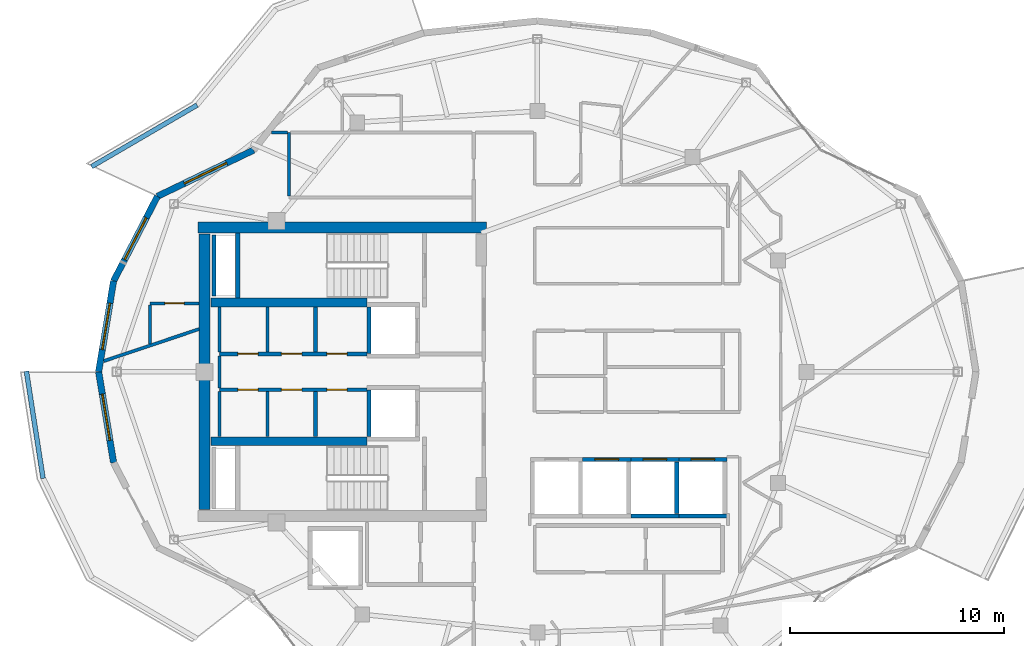
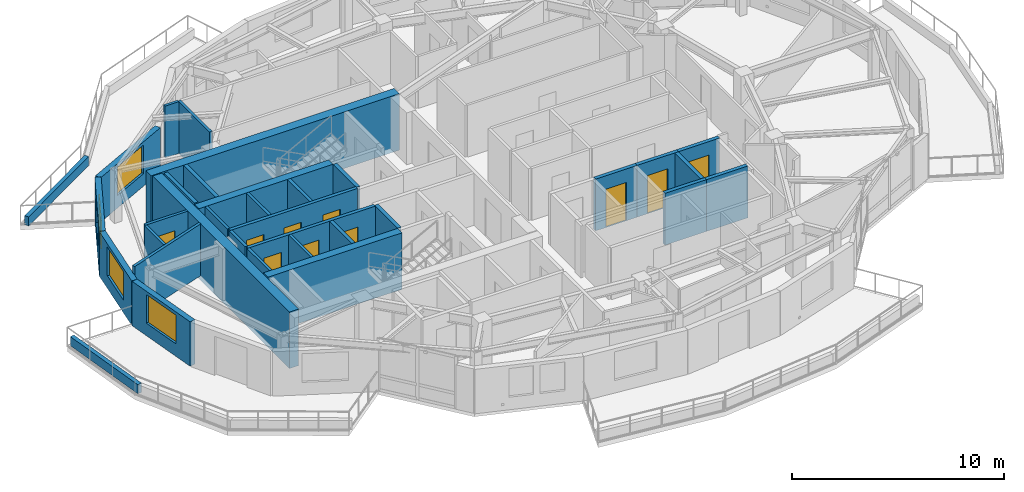
# One storey, part 8 of 15: 34 walls, 10 doors, 4 windows, 14 openings.
"""IFC4 building model written with IfcOpenShell, lengths in metres."""

from ifc_helpers import new_model, si_unit, direction, frame, frame_2d, origin, place, context, subcontext, project, spatial, rectangle, extrude, material, layer, layer_set, type_object, element, fill, save


model = new_model("IFC4")

# Units and contexts
model_context = context("Model", 3, precision=1e-05, world=origin(), true_north=direction((0.0, 1.0)))
body_context = subcontext(model_context, "Body", "Model", "MODEL_VIEW")
ifc_project = project(units=[si_unit("LENGTHUNIT", "METRE"), si_unit("AREAUNIT", "SQUARE_METRE"), si_unit("VOLUMEUNIT", "CUBIC_METRE"), si_unit("PLANEANGLEUNIT", "RADIAN"), si_unit("MASSUNIT", "GRAM", prefix="KILO")], contexts=[model_context])

# Site, building, storey
site_placement = place(None, origin())
site = spatial("IfcSite", under=ifc_project, at=site_placement, CompositionType="ELEMENT")
building_placement = place(site_placement, origin())
building = spatial("IfcBuilding", under=site, at=building_placement, Name="Kolvaren Gate Tower and Convention Centre", CompositionType="ELEMENT")
storey_placement = place(building_placement, frame((0.0, 0.0, 272.300048828125)))
storey = spatial("IfcBuildingStorey", under=building, at=storey_placement, Name="L74", CompositionType="ELEMENT", Elevation=272.300048828125)

# Wall, openings, doors
ifc_material_1 = material(Name="Autoclaved Aerated Masonry Blockwork Class 4 (4.0 MPa)", Category="masonry")
ifc_layer_1 = layer(ifc_material_1, 0.179931640625)
ifc_layer_set_1 = layer_set([ifc_layer_1], Name="Autoclaved Aerated Masonry Blockwork Class 4 (4.0 MPa)")
wall_type_1 = type_object("IfcWallType", Name="ARCH-WL-COMP-180", PredefinedType="SOLIDWALL", material=ifc_layer_set_1)
wall_1_placement = place(storey_placement, frame((15.25, 27.840087890625, 0.0), z_axis=(0.0, 0.0, 1.0), x_axis=(1.0, 0.0, 0.0)))
wall_1 = element("IfcWall", 1, at=wall_1_placement, inside=storey, type_object=wall_type_1, Name="Interior Partition WL-L74-INT-004", PredefinedType="SOLIDWALL", context=body_context, shape_type="SweptSolid", body=[
    extrude(rectangle(XDim=6.89990234375, YDim=0.179931640625, at=frame_2d((3.449951171875, 0.0))), origin(), (0.0, 0.0, 1.0), 2.97998046875),
])
opening_1_placement = place(wall_1_placement, frame((5.02001953125, 0.0, 0.0)))
opening_1 = element("IfcOpeningElement", 2, at=opening_1_placement, cuts=wall_1, Name="Opening DR-01", PredefinedType="OPENING", context=body_context, shape_type="SweptSolid", body=[
    extrude(rectangle(XDim=0.949951171875, YDim=2.10009765625, at=frame_2d((0.47509765625, 1.050048828125))), frame((0.0, 0.099853515625, 0.0), z_axis=(0.0, -1.0, 0.0), x_axis=(1.0, 0.0, 0.0)), (0.0, 0.0, 1.0), 0.199951171875),
])
opening_2_placement = place(wall_1_placement, frame((0.85498046875, 0.0, 0.0)))
opening_2 = element("IfcOpeningElement", 3, at=opening_2_placement, cuts=wall_1, Name="Opening DR-01", PredefinedType="OPENING", context=body_context, shape_type="SweptSolid", body=[
    extrude(rectangle(XDim=0.949951171875, YDim=2.10009765625, at=frame_2d((0.47509765625, 1.050048828125))), frame((0.0, 0.099853515625, 0.0), z_axis=(0.0, -1.0, 0.0), x_axis=(1.0, 0.0, 0.0)), (0.0, 0.0, 1.0), 0.199951171875),
])
opening_3_placement = place(wall_1_placement, frame((2.89990234375, 0.0, 0.0)))
opening_3 = element("IfcOpeningElement", 4, at=opening_3_placement, cuts=wall_1, Name="Opening DR-01", PredefinedType="OPENING", context=body_context, shape_type="SweptSolid", body=[
    extrude(rectangle(XDim=0.949951171875, YDim=2.10009765625, at=frame_2d((0.47509765625, 1.050048828125))), frame((0.0, 0.099853515625, 0.0), z_axis=(0.0, -1.0, 0.0), x_axis=(1.0, 0.0, 0.0)), (0.0, 0.0, 1.0), 0.199951171875),
])
ifc_material_2 = material(Name="Painted Architectural Steelwork ASTM A500 Grade C 345 MPa", Category="steel")
door_type_1 = type_object("IfcDoorType", Name="ARCH-DR-RISER-950", OperationType="SINGLE_SWING_RIGHT", PredefinedType="DOOR", material=ifc_material_2)
door_1_placement = place(opening_1_placement, origin())
door_1 = element("IfcDoor", 5, at=door_1_placement, inside=storey, type_object=door_type_1, Name="Electrical Switchgear Closet Door", OperationType="SINGLE_SWING_RIGHT", OverallHeight=2.10009765625, OverallWidth=0.949951171875, PredefinedType="DOOR", context=body_context, shape_type="SweptSolid", body=[
    extrude(rectangle(XDim=0.949951171875, YDim=2.10009765625, at=frame_2d((0.47509765625, 1.050048828125))), frame((0.0, 0.02490234375, 0.0), z_axis=(0.0, -1.0, 0.0), x_axis=(1.0, 0.0, 0.0)), (0.0, 0.0, 1.0), 0.050048828125),
])
fill(opening_1, door_1)
door_2_placement = place(opening_2_placement, origin())
door_2 = element("IfcDoor", 6, at=door_2_placement, inside=storey, type_object=door_type_1, Name="Staff Accessible WC Door", OperationType="SINGLE_SWING_RIGHT", OverallHeight=2.10009765625, OverallWidth=0.949951171875, PredefinedType="DOOR", context=body_context, shape_type="SweptSolid", body=[
    extrude(rectangle(XDim=0.949951171875, YDim=2.10009765625, at=frame_2d((0.47509765625, 1.050048828125))), frame((0.0, 0.02490234375, 0.0), z_axis=(0.0, -1.0, 0.0), x_axis=(1.0, 0.0, 0.0)), (0.0, 0.0, 1.0), 0.050048828125),
])
fill(opening_2, door_2)
door_3_placement = place(opening_3_placement, origin())
door_3 = element("IfcDoor", 7, at=door_3_placement, inside=storey, type_object=door_type_1, Name="Housekeeping Sink Closet Door", OperationType="SINGLE_SWING_LEFT", OverallHeight=2.10009765625, OverallWidth=0.949951171875, PredefinedType="DOOR", context=body_context, shape_type="SweptSolid", body=[
    extrude(rectangle(XDim=0.949951171875, YDim=2.10009765625, at=frame_2d((0.47509765625, 1.050048828125))), frame((0.0, 0.02490234375, 0.0), z_axis=(0.0, -1.0, 0.0), x_axis=(1.0, 0.0, 0.0)), (0.0, 0.0, 1.0), 0.050048828125),
])
fill(opening_3, door_3)

wall_2_placement = place(storey_placement, frame((15.25, 26.159912109375, 0.0), z_axis=(0.0, 0.0, 1.0), x_axis=(1.0, 0.0, 0.0)))
wall_2 = element("IfcWall", 8, at=wall_2_placement, inside=storey, type_object=wall_type_1, Name="Interior Partition WL-L74-INT-005", PredefinedType="SOLIDWALL", context=body_context, shape_type="SweptSolid", body=[
    extrude(rectangle(XDim=6.89990234375, YDim=0.179931640625, at=frame_2d((3.449951171875, 0.0))), origin(), (0.0, 0.0, 1.0), 2.97998046875),
])
opening_4_placement = place(wall_2_placement, frame((5.02001953125, 0.0, 0.0)))
opening_4 = element("IfcOpeningElement", 9, at=opening_4_placement, cuts=wall_2, Name="Opening DR-01", PredefinedType="OPENING", context=body_context, shape_type="SweptSolid", body=[
    extrude(rectangle(XDim=0.949951171875, YDim=2.10009765625, at=frame_2d((0.47509765625, 1.050048828125))), frame((0.0, 0.099853515625, 0.0), z_axis=(0.0, -1.0, 0.0), x_axis=(1.0, 0.0, 0.0)), (0.0, 0.0, 1.0), 0.199951171875),
])
opening_5_placement = place(wall_2_placement, frame((0.85498046875, 0.0, 0.0)))
opening_5 = element("IfcOpeningElement", 10, at=opening_5_placement, cuts=wall_2, Name="Opening DR-01", PredefinedType="OPENING", context=body_context, shape_type="SweptSolid", body=[
    extrude(rectangle(XDim=0.949951171875, YDim=2.10009765625, at=frame_2d((0.47509765625, 1.050048828125))), frame((0.0, 0.099853515625, 0.0), z_axis=(0.0, -1.0, 0.0), x_axis=(1.0, 0.0, 0.0)), (0.0, 0.0, 1.0), 0.199951171875),
])
opening_6_placement = place(wall_2_placement, frame((2.89990234375, 0.0, 0.0)))
opening_6 = element("IfcOpeningElement", 11, at=opening_6_placement, cuts=wall_2, Name="Opening DR-01", PredefinedType="OPENING", context=body_context, shape_type="SweptSolid", body=[
    extrude(rectangle(XDim=0.949951171875, YDim=2.10009765625, at=frame_2d((0.47509765625, 1.050048828125))), frame((0.0, 0.099853515625, 0.0), z_axis=(0.0, -1.0, 0.0), x_axis=(1.0, 0.0, 0.0)), (0.0, 0.0, 1.0), 0.199951171875),
])
door_4_placement = place(opening_4_placement, origin())
door_4 = element("IfcDoor", 12, at=door_4_placement, inside=storey, type_object=door_type_1, Name="Domestic Water Meter Closet Door", OperationType="SINGLE_SWING_LEFT", OverallHeight=2.10009765625, OverallWidth=0.949951171875, PredefinedType="DOOR", context=body_context, shape_type="SweptSolid", body=[
    extrude(rectangle(XDim=0.949951171875, YDim=2.10009765625, at=frame_2d((0.47509765625, 1.050048828125))), frame((0.0, 0.02490234375, 0.0), z_axis=(0.0, -1.0, 0.0), x_axis=(1.0, 0.0, 0.0)), (0.0, 0.0, 1.0), 0.050048828125),
])
fill(opening_4, door_4)
door_5_placement = place(opening_5_placement, origin())
door_5 = element("IfcDoor", 13, at=door_5_placement, inside=storey, type_object=door_type_1, Name="Beverage Service Pantry Door", OperationType="SINGLE_SWING_RIGHT", OverallHeight=2.10009765625, OverallWidth=0.949951171875, PredefinedType="DOOR", context=body_context, shape_type="SweptSolid", body=[
    extrude(rectangle(XDim=0.949951171875, YDim=2.10009765625, at=frame_2d((0.47509765625, 1.050048828125))), frame((0.0, 0.02490234375, 0.0), z_axis=(0.0, -1.0, 0.0), x_axis=(1.0, 0.0, 0.0)), (0.0, 0.0, 1.0), 0.050048828125),
])
fill(opening_5, door_5)
door_6_placement = place(opening_6_placement, origin())
door_6 = element("IfcDoor", 14, at=door_6_placement, inside=storey, type_object=door_type_1, Name="Archive Supply Closet Door", OperationType="SINGLE_SWING_LEFT", OverallHeight=2.10009765625, OverallWidth=0.949951171875, PredefinedType="DOOR", context=body_context, shape_type="SweptSolid", body=[
    extrude(rectangle(XDim=0.949951171875, YDim=2.10009765625, at=frame_2d((0.47509765625, 1.050048828125))), frame((0.0, 0.02490234375, 0.0), z_axis=(0.0, -1.0, 0.0), x_axis=(1.0, 0.0, 0.0)), (0.0, 0.0, 1.0), 0.050048828125),
])
fill(opening_6, door_6)

# Walls
for number, where, z_axis, x_axis, name in (
    (15, (19.75, 23.9619140625, 0.0), (0.0, 0.0, 1.0), (0.0, 1.0, 0.0), "Interior Partition WL-L74-INT-007"),
    (16, (19.75, 27.931884765625, 0.0), (0.0, 0.0, 1.0), (0.0, 1.0, 0.0), "Interior Partition WL-L74-INT-008"),
):
    element("IfcWall", number, at=place(storey_placement, frame(where, z_axis=z_axis, x_axis=x_axis)), inside=storey, type_object=wall_type_1, Name=name, PredefinedType="SOLIDWALL", context=body_context, shape_type="SweptSolid", body=[
        extrude(rectangle(XDim=2.106201171875, YDim=0.179931640625, at=frame_2d((1.05322265625, 0.0))), origin(), (0.0, 0.0, 1.0), 2.97998046875),
    ])
ifc_material_3 = material(Name="Piedmont Cream Honed Limestone Cladding", Category="masonry")
ifc_layer_2 = layer(ifc_material_3, 0.219970703125)
ifc_layer_set_2 = layer_set([ifc_layer_2], Name="Piedmont Cream Honed Limestone Cladding")
wall_type_2 = type_object("IfcWallType", Name="ARCH-WL-PLANTER-220", PredefinedType="PARAPET", material=ifc_layer_set_2)
wall_3_placement = place(storey_placement, frame((9.26171875, 36.60302734375, 0.0), z_axis=(0.0, 0.0, 1.0), x_axis=(0.863803671285, 0.503828559606, 0.0)))
element("IfcWall", 17, at=wall_3_placement, inside=storey, type_object=wall_type_2, Name="Vertical-Forest Balcony Stone Planter Kerb PK-L74-1.3", PredefinedType="PARAPET", context=body_context, shape_type="SweptSolid", body=[
    extrude(rectangle(XDim=5.719482421875, YDim=0.219970703125, at=frame_2d((2.85986328125, 0.0))), origin(), (0.0, 0.0, 1.0), 0.52001953125),
])
wall_4_placement = place(storey_placement, frame((6.21240234375, 27.029296875, 0.0), z_axis=(0.0, 0.0, 1.0), x_axis=(0.15374038442, -0.988111276223, 0.0)))
element("IfcWall", 18, at=wall_4_placement, inside=storey, type_object=wall_type_2, Name="Vertical-Forest Balcony Stone Planter Kerb PK-L74-2.1", PredefinedType="PARAPET", context=body_context, shape_type="SweptSolid", body=[
    extrude(rectangle(XDim=5.078369140625, YDim=0.219970703125, at=frame_2d((2.5390625, 0.0))), origin(), (0.0, 0.0, 1.0), 0.52001953125),
])
ifc_layer_3 = layer(ifc_material_1, 0.199951171875)
ifc_layer_set_3 = layer_set([ifc_layer_3], Name="Autoclaved Aerated Masonry Blockwork Class 4 (4.0 MPa)")
wall_type_3 = type_object("IfcWallType", Name="ARCH-WL-SHAFT-200", PredefinedType="SOLIDWALL", material=ifc_layer_set_3)
for number, where, z_axis, x_axis, name in (
    (19, (22.25, 27.85009765625, 0.0), (0.0, 0.0, 1.0), (0.0, 1.0, 0.0), "Elevator FF-01 L74 Fire Shaft Wall W"),
    (20, (22.25, 23.969970703125, 0.0), (0.0, 0.0, 1.0), (0.0, 1.0, 0.0), "Elevator FF-02 L74 Fire Shaft Wall W"),
):
    element("IfcWall", number, at=place(storey_placement, frame(where, z_axis=z_axis, x_axis=x_axis)), inside=storey, type_object=wall_type_3, Name=name, PredefinedType="SOLIDWALL", context=body_context, shape_type="SweptSolid", body=[
        extrude(rectangle(XDim=2.179931640625, YDim=0.199951171875, at=frame_2d((1.08984375, 0.0))), origin(), (0.0, 0.0, 1.0), 2.97998046875),
    ])

# Wall, opening, door
wall_5_placement = place(storey_placement, frame((32.25, 22.89990234375, 0.0), z_axis=(0.0, 0.0, 1.0), x_axis=(1.0, 0.0, 0.0)))
wall_5 = element("IfcWall", 21, at=wall_5_placement, inside=storey, type_object=wall_type_3, Name="Elevator PL-10 L74 Fire Shaft Wall N", PredefinedType="SOLIDWALL", context=body_context, shape_type="SweptSolid", body=[
    extrude(rectangle(XDim=2.25, YDim=0.199951171875, at=frame_2d((1.125, 0.0))), origin(), (0.0, 0.0, 1.0), 2.97998046875),
])
opening_7_placement = place(wall_5_placement, frame((0.574951171875, 0.0, 0.0)))
opening_7 = element("IfcOpeningElement", 22, at=opening_7_placement, cuts=wall_5, Name="Opening LD", PredefinedType="OPENING", context=body_context, shape_type="SweptSolid", body=[
    extrude(rectangle(XDim=1.10009765625, YDim=2.199951171875, at=frame_2d((0.550048828125, 1.10009765625))), frame((0.0, 0.10986328125, 0.0), z_axis=(0.0, -1.0, 0.0), x_axis=(1.0, 0.0, 0.0)), (0.0, 0.0, 1.0), 0.219970703125),
])
ifc_material_4 = material(Name="Brushed Stainless Steel Grade 316L", Category="steel")
door_type_2 = type_object("IfcDoorType", Name="ARCH-DR-LIFT-1100", OperationType="SLIDING_TO_LEFT", PredefinedType="DOOR", material=ifc_material_4)
door_7_placement = place(opening_7_placement, origin())
door_7 = element("IfcDoor", 23, at=door_7_placement, inside=storey, type_object=door_type_2, Name="Elevator PL-10 L74 Sliding Landing Door", OperationType="SLIDING_TO_LEFT", OverallHeight=2.199951171875, OverallWidth=1.10009765625, PredefinedType="DOOR", context=body_context, shape_type="SweptSolid", body=[
    extrude(rectangle(XDim=1.10009765625, YDim=2.199951171875, at=frame_2d((0.550048828125, 1.10009765625))), frame((0.0, 0.02490234375, 0.0), z_axis=(0.0, -1.0, 0.0), x_axis=(1.0, 0.0, 0.0)), (0.0, 0.0, 1.0), 0.050048828125),
])
fill(opening_7, door_7)

wall_6_placement = place(storey_placement, frame((34.5, 22.89990234375, 0.0), z_axis=(0.0, 0.0, 1.0), x_axis=(1.0, 0.0, 0.0)))
wall_6 = element("IfcWall", 24, at=wall_6_placement, inside=storey, type_object=wall_type_3, Name="Elevator PL-11 L74 Fire Shaft Wall N", PredefinedType="SOLIDWALL", context=body_context, shape_type="SweptSolid", body=[
    extrude(rectangle(XDim=2.25, YDim=0.199951171875, at=frame_2d((1.125, 0.0))), origin(), (0.0, 0.0, 1.0), 2.97998046875),
])
opening_8_placement = place(wall_6_placement, frame((0.574951171875, 0.0, 0.0)))
opening_8 = element("IfcOpeningElement", 25, at=opening_8_placement, cuts=wall_6, Name="Opening LD", PredefinedType="OPENING", context=body_context, shape_type="SweptSolid", body=[
    extrude(rectangle(XDim=1.10009765625, YDim=2.199951171875, at=frame_2d((0.550048828125, 1.10009765625))), frame((0.0, 0.10986328125, 0.0), z_axis=(0.0, -1.0, 0.0), x_axis=(1.0, 0.0, 0.0)), (0.0, 0.0, 1.0), 0.219970703125),
])
door_8_placement = place(opening_8_placement, origin())
door_8 = element("IfcDoor", 26, at=door_8_placement, inside=storey, type_object=door_type_2, Name="Elevator PL-11 L74 Sliding Landing Door", OperationType="SLIDING_TO_LEFT", OverallHeight=2.199951171875, OverallWidth=1.10009765625, PredefinedType="DOOR", context=body_context, shape_type="SweptSolid", body=[
    extrude(rectangle(XDim=1.10009765625, YDim=2.199951171875, at=frame_2d((0.550048828125, 1.10009765625))), frame((0.0, 0.02490234375, 0.0), z_axis=(0.0, -1.0, 0.0), x_axis=(1.0, 0.0, 0.0)), (0.0, 0.0, 1.0), 0.050048828125),
])
fill(opening_8, door_8)

# Walls
wall_7_placement = place(storey_placement, frame((34.5, 20.25, 0.0), z_axis=(0.0, 0.0, 1.0), x_axis=(1.0, 0.0, 0.0)))
element("IfcWall", 27, at=wall_7_placement, inside=storey, type_object=wall_type_3, Name="Elevator PL-11 L74 Fire Shaft Wall S", PredefinedType="SOLIDWALL", context=body_context, shape_type="SweptSolid", body=[
    extrude(rectangle(XDim=2.25, YDim=0.199951171875, at=frame_2d((1.125, 0.0))), origin(), (0.0, 0.0, 1.0), 2.97998046875),
])
wall_8_placement = place(storey_placement, frame((36.64990234375, 20.360107421875, 0.0), z_axis=(0.0, 0.0, 1.0), x_axis=(0.0, 1.0, 0.0)))
element("IfcWall", 28, at=wall_8_placement, inside=storey, type_object=wall_type_3, Name="Elevator PL-11 L74 Fire Shaft Wall E", PredefinedType="SOLIDWALL", context=body_context, shape_type="SweptSolid", body=[
    extrude(rectangle(XDim=2.429931640625, YDim=0.199951171875, at=frame_2d((1.21484375, 0.0))), origin(), (0.0, 0.0, 1.0), 2.97998046875),
])

# Wall, opening, door
wall_9_placement = place(storey_placement, frame((36.75, 22.89990234375, 0.0), z_axis=(0.0, 0.0, 1.0), x_axis=(1.0, 0.0, 0.0)))
wall_9 = element("IfcWall", 29, at=wall_9_placement, inside=storey, type_object=wall_type_3, Name="Elevator PL-12 L74 Fire Shaft Wall N", PredefinedType="SOLIDWALL", context=body_context, shape_type="SweptSolid", body=[
    extrude(rectangle(XDim=2.25, YDim=0.199951171875, at=frame_2d((1.125, 0.0))), origin(), (0.0, 0.0, 1.0), 2.97998046875),
])
opening_9_placement = place(wall_9_placement, frame((0.574951171875, 0.0, 0.0)))
opening_9 = element("IfcOpeningElement", 30, at=opening_9_placement, cuts=wall_9, Name="Opening LD", PredefinedType="OPENING", context=body_context, shape_type="SweptSolid", body=[
    extrude(rectangle(XDim=1.10009765625, YDim=2.199951171875, at=frame_2d((0.550048828125, 1.10009765625))), frame((0.0, 0.10986328125, 0.0), z_axis=(0.0, -1.0, 0.0), x_axis=(1.0, 0.0, 0.0)), (0.0, 0.0, 1.0), 0.219970703125),
])
door_9_placement = place(opening_9_placement, origin())
door_9 = element("IfcDoor", 31, at=door_9_placement, inside=storey, type_object=door_type_2, Name="Elevator PL-12 L74 Sliding Landing Door", OperationType="SLIDING_TO_LEFT", OverallHeight=2.199951171875, OverallWidth=1.10009765625, PredefinedType="DOOR", context=body_context, shape_type="SweptSolid", body=[
    extrude(rectangle(XDim=1.10009765625, YDim=2.199951171875, at=frame_2d((0.550048828125, 1.10009765625))), frame((0.0, 0.02490234375, 0.0), z_axis=(0.0, -1.0, 0.0), x_axis=(1.0, 0.0, 0.0)), (0.0, 0.0, 1.0), 0.050048828125),
])
fill(opening_9, door_9)

# Walls
wall_10_placement = place(storey_placement, frame((36.75, 20.25, 0.0), z_axis=(0.0, 0.0, 1.0), x_axis=(1.0, 0.0, 0.0)))
element("IfcWall", 32, at=wall_10_placement, inside=storey, type_object=wall_type_3, Name="Elevator PL-12 L74 Fire Shaft Wall S", PredefinedType="SOLIDWALL", context=body_context, shape_type="SweptSolid", body=[
    extrude(rectangle(XDim=2.25, YDim=0.199951171875, at=frame_2d((1.125, 0.0))), origin(), (0.0, 0.0, 1.0), 2.97998046875),
])
wall_11_placement = place(storey_placement, frame((14.989990234375, 30.550048828125, 0.0), z_axis=(0.0, 0.0, 1.0), x_axis=(0.0, 1.0, 0.0)))
element("IfcWall", 33, at=wall_11_placement, inside=storey, type_object=wall_type_3, Name="Vertical Shaft HVR L74 EI-120 Enclosure Wall W", PredefinedType="SOLIDWALL", context=body_context, shape_type="SweptSolid", body=[
    extrude(rectangle(XDim=2.849853515625, YDim=0.199951171875, at=frame_2d((1.4248046875, 0.0))), origin(), (0.0, 0.0, 1.0), 2.97998046875),
])

# Wall, opening, window
ifc_layer_4 = layer(ifc_material_3, 0.300048828125)
ifc_layer_set_4 = layer_set([ifc_layer_4], Name="Piedmont Cream Honed Limestone Cladding")
wall_type_4 = type_object("IfcWallType", Name="ARCH-WL-STONE-300", PredefinedType="SOLIDWALL", material=ifc_layer_set_4)
wall_12_placement = place(storey_placement, frame((12.344482421875, 35.21240234375, 0.0), z_axis=(0.0, 0.0, 1.0), x_axis=(0.901346013132, 0.433099716706, 0.0)))
wall_12 = element("IfcWall", 34, at=wall_12_placement, inside=storey, type_object=wall_type_4, Name="Tower L74 Honed Stone Spandrel Wall EW-09", PredefinedType="SOLIDWALL", context=body_context, shape_type="SweptSolid", body=[
    extrude(rectangle(XDim=4.994384765625, YDim=0.300048828125, at=frame_2d((2.4970703125, 0.0))), origin(), (0.0, 0.0, 1.0), 2.554931640625),
])
opening_10_placement = place(wall_12_placement, frame((1.39697265625, 0.0, 0.719970703125)))
opening_10 = element("IfcOpeningElement", 35, at=opening_10_placement, cuts=wall_12, Name="Opening W-03", PredefinedType="OPENING", context=body_context, shape_type="SweptSolid", body=[
    extrude(rectangle(XDim=2.199951171875, YDim=1.64990234375, at=frame_2d((1.10009765625, 0.824951171875))), frame((0.0, 0.159912109375, 0.0), z_axis=(0.0, -1.0, 0.0), x_axis=(1.0, 0.0, 0.0)), (0.0, 0.0, 1.0), 0.320068359375),
])
ifc_material_5 = material(Name="Low-E Triple Insulated Glazing Unit 44 mm", Category="glass")
window_type = type_object("IfcWindowType", Name="ARCH-WN-RES-2200", PartitioningType="SINGLE_PANEL", PredefinedType="WINDOW", material=ifc_material_5)
window_1_placement = place(opening_10_placement, origin())
window_1 = element("IfcWindow", 36, at=window_1_placement, inside=storey, type_object=window_type, Name="Tower L74 Punched Stone Facade Window W-09", OverallHeight=1.64990234375, OverallWidth=2.199951171875, PartitioningType="SINGLE_PANEL", PredefinedType="WINDOW", context=body_context, shape_type="SweptSolid", body=[
    extrude(rectangle(XDim=2.199951171875, YDim=1.64990234375, at=frame_2d((1.10009765625, 0.824951171875))), frame((0.0, 0.030029296875, 0.0), z_axis=(0.0, -1.0, 0.0), x_axis=(1.0, 0.0, 0.0)), (0.0, 0.0, 1.0), 0.06005859375),
])
fill(opening_10, window_1)

wall_13_placement = place(storey_placement, frame((10.29345703125, 31.251220703125, 0.0), z_axis=(0.0, 0.0, 1.0), x_axis=(0.459801070243, 0.888021945564, 0.0)))
wall_13 = element("IfcWall", 37, at=wall_13_placement, inside=storey, type_object=wall_type_4, Name="Tower L74 Honed Stone Spandrel Wall EW-10", PredefinedType="SOLIDWALL", context=body_context, shape_type="SweptSolid", body=[
    extrude(rectangle(XDim=4.460693359375, YDim=0.300048828125, at=frame_2d((2.23046875, 0.0))), origin(), (0.0, 0.0, 1.0), 2.554931640625),
])
opening_11_placement = place(wall_13_placement, frame((1.1298828125, 0.0, 0.719970703125)))
opening_11 = element("IfcOpeningElement", 38, at=opening_11_placement, cuts=wall_13, Name="Opening W-03", PredefinedType="OPENING", context=body_context, shape_type="SweptSolid", body=[
    extrude(rectangle(XDim=2.199951171875, YDim=1.64990234375, at=frame_2d((1.10009765625, 0.824951171875))), frame((0.0, 0.159912109375, 0.0), z_axis=(0.0, -1.0, 0.0), x_axis=(1.0, 0.0, 0.0)), (0.0, 0.0, 1.0), 0.320068359375),
])
window_2_placement = place(opening_11_placement, origin())
window_2 = element("IfcWindow", 39, at=window_2_placement, inside=storey, type_object=window_type, Name="Tower L74 Punched Stone Facade Window W-10", OverallHeight=1.64990234375, OverallWidth=2.199951171875, PartitioningType="SINGLE_PANEL", PredefinedType="WINDOW", context=body_context, shape_type="SweptSolid", body=[
    extrude(rectangle(XDim=2.199951171875, YDim=1.64990234375, at=frame_2d((1.10009765625, 0.824951171875))), frame((0.0, 0.030029296875, 0.0), z_axis=(0.0, -1.0, 0.0), x_axis=(1.0, 0.0, 0.0)), (0.0, 0.0, 1.0), 0.06005859375),
])
fill(opening_11, window_2)

wall_14_placement = place(storey_placement, frame((9.59375, 27.0, 0.0), z_axis=(0.0, 0.0, 1.0), x_axis=(0.162404622434, 0.98672424649, 0.0)))
wall_14 = element("IfcWall", 40, at=wall_14_placement, inside=storey, type_object=wall_type_4, Name="Tower L74 Honed Stone Spandrel Wall EW-11", PredefinedType="SOLIDWALL", context=body_context, shape_type="SweptSolid", body=[
    extrude(rectangle(XDim=4.308349609375, YDim=0.300048828125, at=frame_2d((2.154296875, 0.0))), origin(), (0.0, 0.0, 1.0), 2.554931640625),
])
opening_12_placement = place(wall_14_placement, frame((1.053955078125, 0.0, 0.719970703125)))
opening_12 = element("IfcOpeningElement", 41, at=opening_12_placement, cuts=wall_14, Name="Opening W-03", PredefinedType="OPENING", context=body_context, shape_type="SweptSolid", body=[
    extrude(rectangle(XDim=2.199951171875, YDim=1.64990234375, at=frame_2d((1.10009765625, 0.824951171875))), frame((0.0, 0.159912109375, 0.0), z_axis=(0.0, -1.0, 0.0), x_axis=(1.0, 0.0, 0.0)), (0.0, 0.0, 1.0), 0.320068359375),
])
window_3_placement = place(opening_12_placement, origin())
window_3 = element("IfcWindow", 42, at=window_3_placement, inside=storey, type_object=window_type, Name="Tower L74 Punched Stone Facade Window W-11", OverallHeight=1.64990234375, OverallWidth=2.199951171875, PartitioningType="SINGLE_PANEL", PredefinedType="WINDOW", context=body_context, shape_type="SweptSolid", body=[
    extrude(rectangle(XDim=2.199951171875, YDim=1.64990234375, at=frame_2d((1.10009765625, 0.824951171875))), frame((0.0, 0.030029296875, 0.0), z_axis=(0.0, -1.0, 0.0), x_axis=(1.0, 0.0, 0.0)), (0.0, 0.0, 1.0), 0.06005859375),
])
fill(opening_12, window_3)

wall_15_placement = place(storey_placement, frame((9.59375, 27.0, 0.0), z_axis=(0.0, 0.0, 1.0), x_axis=(0.162404622434, -0.98672424649, 0.0)))
wall_15 = element("IfcWall", 43, at=wall_15_placement, inside=storey, type_object=wall_type_4, Name="Tower L74 Honed Stone Spandrel Wall EW-12", PredefinedType="SOLIDWALL", context=body_context, shape_type="SweptSolid", body=[
    extrude(rectangle(XDim=4.308349609375, YDim=0.300048828125, at=frame_2d((2.154296875, 0.0))), origin(), (0.0, 0.0, 1.0), 2.554931640625),
])
opening_13_placement = place(wall_15_placement, frame((1.053955078125, 0.0, 0.719970703125)))
opening_13 = element("IfcOpeningElement", 44, at=opening_13_placement, cuts=wall_15, Name="Opening W-03", PredefinedType="OPENING", context=body_context, shape_type="SweptSolid", body=[
    extrude(rectangle(XDim=2.199951171875, YDim=1.64990234375, at=frame_2d((1.10009765625, 0.824951171875))), frame((0.0, 0.159912109375, 0.0), z_axis=(0.0, -1.0, 0.0), x_axis=(1.0, 0.0, 0.0)), (0.0, 0.0, 1.0), 0.320068359375),
])
window_4_placement = place(opening_13_placement, origin())
window_4 = element("IfcWindow", 45, at=window_4_placement, inside=storey, type_object=window_type, Name="Tower L74 Punched Stone Facade Window W-12", OverallHeight=1.64990234375, OverallWidth=2.199951171875, PartitioningType="SINGLE_PANEL", PredefinedType="WINDOW", context=body_context, shape_type="SweptSolid", body=[
    extrude(rectangle(XDim=2.199951171875, YDim=1.64990234375, at=frame_2d((1.10009765625, 0.824951171875))), frame((0.0, 0.030029296875, 0.0), z_axis=(0.0, -1.0, 0.0), x_axis=(1.0, 0.0, 0.0)), (0.0, 0.0, 1.0), 0.06005859375),
])
fill(opening_13, window_4)

# Walls
ifc_material_6 = material(Name="Moisture-Resistant Cement-Board Acoustic Partition", Category="gypsum")
ifc_layer_5 = layer(ifc_material_6, 0.14990234375)
ifc_layer_set_5 = layer_set([ifc_layer_5], Name="Moisture-Resistant Cement-Board Acoustic Partition")
wall_type_5 = type_object("IfcWallType", Name="ARCH-WL-WET-150", PredefinedType="PARTITIONING", material=ifc_layer_set_5)
wall_16_placement = place(storey_placement, frame((15.25, 23.9619140625, 0.0), z_axis=(0.0, 0.0, 1.0), x_axis=(0.0, 1.0, 0.0)))
element("IfcWall", 46, at=wall_16_placement, inside=storey, type_object=wall_type_5, Name="Interior Partition WL-L74-INT-006", PredefinedType="PARTITIONING", context=body_context, shape_type="SweptSolid", body=[
    extrude(rectangle(XDim=2.106201171875, YDim=0.14990234375, at=frame_2d((1.05322265625, 0.0))), origin(), (0.0, 0.0, 1.0), 2.97998046875),
])
wall_17_placement = place(storey_placement, frame((15.25, 26.251953125, 0.0), z_axis=(0.0, 0.0, 1.0), x_axis=(0.0, 1.0, 0.0)))
element("IfcWall", 47, at=wall_17_placement, inside=storey, type_object=wall_type_5, Name="Interior Partition WL-L74-INT-006 (2)", PredefinedType="PARTITIONING", context=body_context, shape_type="SweptSolid", body=[
    extrude(rectangle(XDim=1.49609375, YDim=0.14990234375, at=frame_2d((0.748046875, 0.0))), origin(), (0.0, 0.0, 1.0), 2.97998046875),
])
wall_18_placement = place(storey_placement, frame((15.25, 27.931884765625, 0.0), z_axis=(0.0, 0.0, 1.0), x_axis=(0.0, 1.0, 0.0)))
element("IfcWall", 48, at=wall_18_placement, inside=storey, type_object=wall_type_5, Name="Interior Partition WL-L74-INT-006 (3)", PredefinedType="PARTITIONING", context=body_context, shape_type="SweptSolid", body=[
    extrude(rectangle(XDim=2.106201171875, YDim=0.14990234375, at=frame_2d((1.05322265625, 0.0))), origin(), (0.0, 0.0, 1.0), 2.97998046875),
])

# Wall, opening, door
wall_19_placement = place(storey_placement, frame((12.0, 30.199951171875, 0.0), z_axis=(0.0, 0.0, 1.0), x_axis=(1.0, 0.0, 0.0)))
wall_19 = element("IfcWall", 49, at=wall_19_placement, inside=storey, type_object=wall_type_5, Name="Interior Partition WL-L74-INT-009", PredefinedType="PARTITIONING", context=body_context, shape_type="SweptSolid", body=[
    extrude(rectangle(XDim=2.298095703125, YDim=0.14990234375, at=frame_2d((1.14892578125, 0.0))), origin(), (0.0, 0.0, 1.0), 2.97998046875),
])
opening_14_placement = place(wall_19_placement, frame((0.698974609375, 0.0, 0.0)))
opening_14 = element("IfcOpeningElement", 50, at=opening_14_placement, cuts=wall_19, Name="Opening DW-01", PredefinedType="OPENING", context=body_context, shape_type="SweptSolid", body=[
    extrude(rectangle(XDim=0.89990234375, YDim=2.10009765625, at=frame_2d((0.449951171875, 1.050048828125))), frame((0.0, 0.0849609375, 0.0), z_axis=(0.0, -1.0, 0.0), x_axis=(1.0, 0.0, 0.0)), (0.0, 0.0, 1.0), 0.169921875),
])
ifc_material_7 = material(Name="FSC Andean Oak Engineered Veneer Door Leaf", Category="wood")
door_type_3 = type_object("IfcDoorType", Name="ARCH-DR-WC-900", OperationType="SINGLE_SWING_RIGHT", PredefinedType="DOOR", material=ifc_material_7)
door_10_placement = place(opening_14_placement, origin())
door_10 = element("IfcDoor", 51, at=door_10_placement, inside=storey, type_object=door_type_3, Name="Apartment Bathroom (APT-L74-01) Door", OperationType="SINGLE_SWING_LEFT", OverallHeight=2.10009765625, OverallWidth=0.89990234375, PredefinedType="DOOR", context=body_context, shape_type="SweptSolid", body=[
    extrude(rectangle(XDim=0.89990234375, YDim=2.10009765625, at=frame_2d((0.449951171875, 1.050048828125))), frame((0.0, 0.02490234375, 0.0), z_axis=(0.0, -1.0, 0.0), x_axis=(1.0, 0.0, 0.0)), (0.0, 0.0, 1.0), 0.050048828125),
])
fill(opening_14, door_10)

# Walls
for number, where, z_axis, x_axis, name in (
    (52, (17.5, 23.9619140625, 0.0), (0.0, 0.0, 1.0), (0.0, 1.0, 0.0), "Interior Partition WL-L74-INT-010"),
    (53, (17.5, 27.931884765625, 0.0), (0.0, 0.0, 1.0), (0.0, 1.0, 0.0), "Interior Partition WL-L74-INT-011"),
):
    element("IfcWall", number, at=place(storey_placement, frame(where, z_axis=z_axis, x_axis=x_axis)), inside=storey, type_object=wall_type_5, Name=name, PredefinedType="PARTITIONING", context=body_context, shape_type="SweptSolid", body=[
        extrude(rectangle(XDim=2.106201171875, YDim=0.14990234375, at=frame_2d((1.05322265625, 0.0))), origin(), (0.0, 0.0, 1.0), 2.97998046875),
    ])
wall_20_placement = place(storey_placement, frame((18.5, 35.237060546875, 0.0), z_axis=(0.0, 0.0, 1.0), x_axis=(0.0, 1.0, 0.0)))
element("IfcWall", 54, at=wall_20_placement, inside=storey, type_object=wall_type_5, Name="Interior Partition WL-L74-INT-035", PredefinedType="PARTITIONING", context=body_context, shape_type="SweptSolid", body=[
    extrude(rectangle(XDim=2.962890625, YDim=0.14990234375, at=frame_2d((1.4814453125, 0.0))), origin(), (0.0, 0.0, 1.0), 2.97998046875),
])
wall_21_placement = place(storey_placement, frame((17.684814453125, 38.199951171875, 0.0), z_axis=(0.0, 0.0, 1.0), x_axis=(1.0, 0.0, 0.0)))
element("IfcWall", 55, at=wall_21_placement, inside=storey, type_object=wall_type_5, Name="Interior Partition WL-L74-INT-036", PredefinedType="PARTITIONING", context=body_context, shape_type="SweptSolid", body=[
    extrude(rectangle(XDim=0.73828125, YDim=0.14990234375, at=frame_2d((0.369140625, 0.0))), origin(), (0.0, 0.0, 1.0), 2.97998046875),
])
wall_22_placement = place(storey_placement, frame((9.830322265625, 27.5009765625, 0.0), z_axis=(0.0, 0.0, 1.0), x_axis=(0.948028536058, 0.318185315217, 0.0)))
element("IfcWall", 56, at=wall_22_placement, inside=storey, type_object=wall_type_5, Name="Interior Partition WL-L74-INT-072", PredefinedType="PARTITIONING", context=body_context, shape_type="SweptSolid", body=[
    extrude(rectangle(XDim=4.712646484375, YDim=0.14990234375, at=frame_2d((2.3564453125, 0.0))), origin(), (0.0, 0.0, 1.0), 2.97998046875),
])
wall_23_placement = place(storey_placement, frame((12.0, 28.310302734375, 0.0), z_axis=(0.0, 0.0, 1.0), x_axis=(0.0, 1.0, 0.0)))
element("IfcWall", 57, at=wall_23_placement, inside=storey, type_object=wall_type_5, Name="Interior Partition WL-L74-INT-086", PredefinedType="PARTITIONING", context=body_context, shape_type="SweptSolid", body=[
    extrude(rectangle(XDim=1.812744140625, YDim=0.14990234375, at=frame_2d((0.90625, 0.0))), origin(), (0.0, 0.0, 1.0), 2.97998046875),
])
ifc_material_8 = material(Name="Concrete C50/60", Category="concrete")
ifc_layer_6 = layer(ifc_material_8, 0.419921875)
ifc_layer_set_6 = layer_set([ifc_layer_6], Name="Concrete C50/60")
wall_type_6 = type_object("IfcWallType", Name="STR-WL-CONV-420", PredefinedType="SHEAR", material=ifc_layer_set_6)
for number, where, z_axis, x_axis, name in (
    (58, (14.85009765625, 30.25, -0.27001953125), (0.0, 0.0, 1.0), (1.0, 0.0, 0.0), "Tower L74 Offset Core Shear Wall WN"),
    (59, (14.85009765625, 23.75, -0.27001953125), (0.0, 0.0, 1.0), (1.0, 0.0, 0.0), "Tower L74 Offset Core Shear Wall WS"),
):
    element("IfcWall", number, at=place(storey_placement, frame(where, z_axis=z_axis, x_axis=x_axis)), inside=storey, type_object=wall_type_6, Name=name, PredefinedType="SHEAR", context=body_context, shape_type="SweptSolid", body=[
        extrude(rectangle(XDim=7.2998046875, YDim=0.419921875, at=frame_2d((3.64990234375, 0.0))), origin(), (0.0, 0.0, 1.0), 3.25),
    ])
ifc_layer_7 = layer(ifc_material_8, 0.5)
ifc_layer_set_7 = layer_set([ifc_layer_7], Name="Concrete C50/60")
wall_type_7 = type_object("IfcWallType", Name="STR-WL-CORE-500", PredefinedType="SHEAR", material=ifc_layer_set_7)
wall_24_placement = place(storey_placement, frame((14.25, 33.75, -0.27001953125), z_axis=(0.0, 0.0, 1.0), x_axis=(1.0, 0.0, 0.0)))
element("IfcWall", 60, at=wall_24_placement, inside=storey, type_object=wall_type_7, Name="Tower L74 Offset Core Shear Wall N", PredefinedType="SHEAR", context=body_context, shape_type="SweptSolid", body=[
    extrude(rectangle(XDim=13.5, YDim=0.5, at=frame_2d((6.75, 0.0))), origin(), (0.0, 0.0, 1.0), 3.25),
])
wall_25_placement = place(storey_placement, frame((14.550048828125, 20.550048828125, -0.27001953125), z_axis=(0.0, 0.0, 1.0), x_axis=(0.0, 1.0, 0.0)))
element("IfcWall", 61, at=wall_25_placement, inside=storey, type_object=wall_type_7, Name="Tower L74 Offset Core Shear Wall W", PredefinedType="SHEAR", context=body_context, shape_type="SweptSolid", body=[
    extrude(rectangle(XDim=12.89990234375, YDim=0.5, at=frame_2d((6.449951171875, 0.0))), origin(), (0.0, 0.0, 1.0), 3.25),
])
ifc_layer_8 = layer(ifc_material_8, 0.199951171875)
ifc_layer_set_8 = layer_set([ifc_layer_8], Name="Concrete C50/60")
wall_type_8 = type_object("IfcWallType", Name="STR-WL-SHAFT-200", PredefinedType="SHEAR", material=ifc_layer_set_8)
wall_26_placement = place(storey_placement, frame((16.10009765625, 30.4619140625, -0.27001953125), z_axis=(0.0, 0.0, 1.0), x_axis=(0.0, 1.0, 0.0)))
element("IfcWall", 62, at=wall_26_placement, inside=storey, type_object=wall_type_8, Name="Tower North Exit Stair ST-T1 L74 Structural Shear Enclosure Wall FAR", PredefinedType="SHEAR", context=body_context, shape_type="SweptSolid", body=[
    extrude(rectangle(XDim=3.0361328125, YDim=0.199951171875, at=frame_2d((1.51806640625, 0.0))), origin(), (0.0, 0.0, 1.0), 3.25),
])

save(model, "model.ifc")
